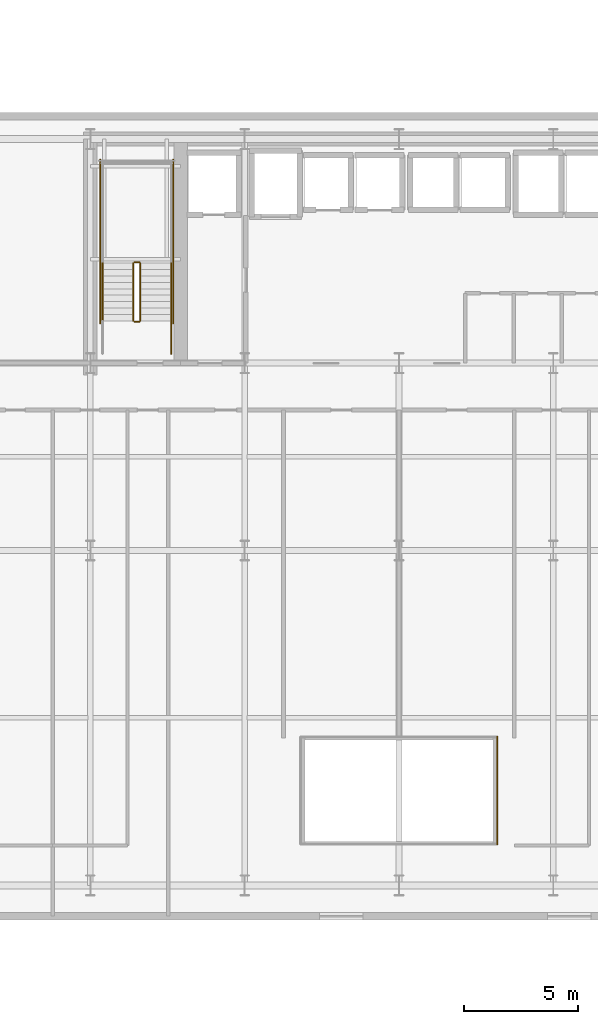
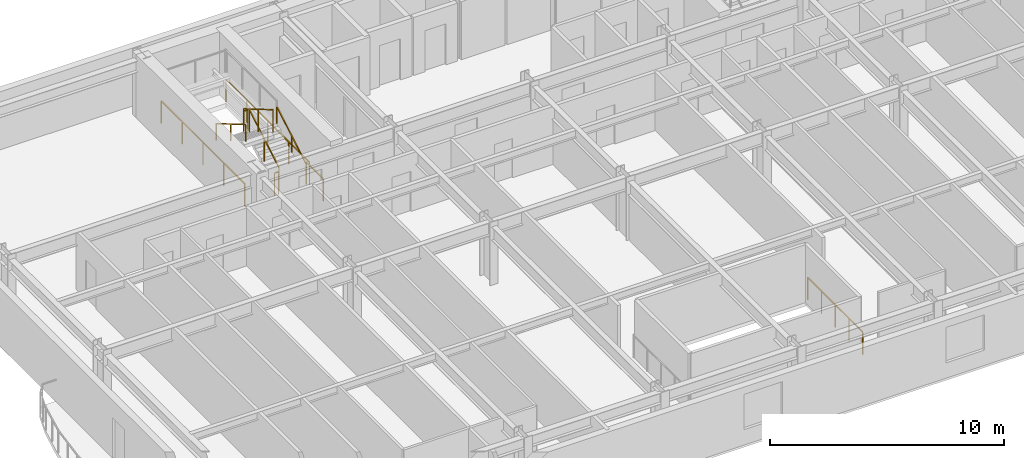
# One storey, part 12 of 17: 10 railings.
"""IFC4 building model written with IfcOpenShell, lengths in metres."""

from ifc_helpers import new_model, si_unit, direction, frame, origin, origin_2d, place, context, subcontext, project, spatial, rectangle, extrude, material, type_object, element, save


model = new_model("IFC4")

# Units and contexts
model_context = context("Model", 3, precision=1e-05, world=origin(), true_north=direction((0.0, 1.0)))
body_context = subcontext(model_context, "Body", "Model", "MODEL_VIEW")
ifc_project = project(units=[si_unit("LENGTHUNIT", "METRE"), si_unit("AREAUNIT", "SQUARE_METRE"), si_unit("VOLUMEUNIT", "CUBIC_METRE"), si_unit("PLANEANGLEUNIT", "RADIAN"), si_unit("MASSUNIT", "GRAM", prefix="KILO")], contexts=[model_context])

# Site, building, storey
site_placement = place(None, origin())
site = spatial("IfcSite", under=ifc_project, at=site_placement, CompositionType="ELEMENT")
building_placement = place(site_placement, origin())
building = spatial("IfcBuilding", under=site, at=building_placement, Name="Haevon Station Towers", CompositionType="ELEMENT")
storey_placement = place(building_placement, frame((0.0, 0.0, 33.89990234375)))
storey = spatial("IfcBuildingStorey", under=building, at=storey_placement, Name="L07", CompositionType="ELEMENT", Elevation=33.89990234375)

# Railings
ifc_material = material(Name="Steel S355", Category="steel")
railing_type_1 = type_object("IfcRailingType", Name="BAL-ATR1200", PredefinedType="BALUSTRADE", material=ifc_material)
railing_1_placement = place(storey_placement, frame((41.80517578125, 17.142333984375, 0.0)))
element("IfcRailing", 1, at=railing_1_placement, inside=storey, type_object=railing_type_1, Name="L07 Atrium Void Balustrade 2", PredefinedType="BALUSTRADE", context=body_context, shape_type="SweptSolid", body=[
    extrude(rectangle(XDim=0.048095703125, YDim=0.048095703125, at=origin_2d()), frame((0.0, 0.0, 1.17578125), z_axis=(0.0, 1.0, 0.0), x_axis=(-1.0, 0.0, 0.0)), (0.0, 0.0, 1.0), 4.71533203125),
    extrude(rectangle(XDim=0.0419921875, YDim=0.0419921875, at=origin_2d()), origin(), (0.0, 0.0, 1.0), 1.15185546875),
    extrude(rectangle(XDim=0.0419921875, YDim=0.0419921875, at=origin_2d()), frame((0.0, 1.1787109375, 0.0)), (0.0, 0.0, 1.0), 1.15185546875),
    extrude(rectangle(XDim=0.0419921875, YDim=0.0419921875, at=origin_2d()), frame((0.0, 2.357666015625, 0.0)), (0.0, 0.0, 1.0), 1.15185546875),
    extrude(rectangle(XDim=0.0419921875, YDim=0.0419921875, at=origin_2d()), frame((0.0, 3.53662109375, 0.0)), (0.0, 0.0, 1.0), 1.15185546875),
    extrude(rectangle(XDim=0.0419921875, YDim=0.0419921875, at=origin_2d()), frame((0.0, 4.71533203125, 0.0)), (0.0, 0.0, 1.0), 1.15185546875),
])
railing_type_2 = type_object("IfcRailingType", Name="GRD-STR1200", PredefinedType="GUARDRAIL", material=ifc_material)
railing_2_placement = place(storey_placement, frame((26.179931640625, 40.050048828125, 0.1650390625)))
element("IfcRailing", 2, at=railing_2_placement, inside=storey, type_object=railing_type_2, Name="L07 ST1 Stair Guard 1", PredefinedType="GUARDRAIL", context=body_context, shape_type="SweptSolid", body=[
    extrude(rectangle(XDim=0.048095703125, YDim=0.048095703125, at=origin_2d()), frame((0.0, 0.0, 1.17578125), z_axis=(0.0, 0.86152411907, 0.507716645641), x_axis=(-1.0, 0.0, 0.0)), (0.0, 0.0, 1.0), 2.925048828125),
    extrude(rectangle(XDim=0.0419921875, YDim=0.0419921875, at=origin_2d()), origin(), (0.0, 0.0, 1.0), 1.15185546875),
    extrude(rectangle(XDim=0.0419921875, YDim=0.0419921875, at=origin_2d()), frame((0.0, 1.260009765625, 0.74267578125)), (0.0, 0.0, 1.0), 1.15185546875),
    extrude(rectangle(XDim=0.0419921875, YDim=0.0419921875, at=origin_2d()), frame((0.0, 2.52001953125, 1.485107421875)), (0.0, 0.0, 1.0), 1.15185546875),
])
railing_3_placement = place(storey_placement, frame((26.1298828125, 42.6201171875, 1.650146484375)))
element("IfcRailing", 3, at=railing_3_placement, inside=storey, type_object=railing_type_2, Name="L07 ST1 Stair Guard 2", PredefinedType="GUARDRAIL", context=body_context, shape_type="SweptSolid", body=[
    extrude(rectangle(XDim=0.048095703125, YDim=0.048095703125, at=origin_2d()), frame((0.0, 0.0, 1.17578125), z_axis=(-1.0, 0.0, 0.0), x_axis=(0.0, -1.0, 0.0)), (0.0, 0.0, 1.0), 0.199951171875),
    extrude(rectangle(XDim=0.0419921875, YDim=0.0419921875, at=origin_2d()), origin(), (0.0, 0.0, 1.0), 1.15185546875),
    extrude(rectangle(XDim=0.0419921875, YDim=0.0419921875, at=origin_2d()), frame((-0.199951171875, 0.0, 0.0)), (0.0, 0.0, 1.0), 1.15185546875),
])
railing_4_placement = place(storey_placement, frame((25.8798828125, 42.570068359375, 1.815185546875)))
element("IfcRailing", 4, at=railing_4_placement, inside=storey, type_object=railing_type_2, Name="L07 ST1 Stair Guard 6", PredefinedType="GUARDRAIL", context=body_context, shape_type="SweptSolid", body=[
    extrude(rectangle(XDim=0.048095703125, YDim=0.048095703125, at=origin_2d()), frame((0.0, 0.0, 1.17578125), z_axis=(0.0, -0.861560626758, 0.507654692109), x_axis=(1.0, 0.0, 0.0)), (0.0, 0.0, 1.0), 2.925048828125),
    extrude(rectangle(XDim=0.0419921875, YDim=0.0419921875, at=origin_2d()), origin(), (0.0, 0.0, 1.0), 1.15185546875),
    extrude(rectangle(XDim=0.0419921875, YDim=0.0419921875, at=origin_2d()), frame((0.0, -1.260009765625, 0.742431640625)), (0.0, 0.0, 1.0), 1.15185546875),
    extrude(rectangle(XDim=0.0419921875, YDim=0.0419921875, at=origin_2d()), frame((0.0, -2.52001953125, 1.48486328125)), (0.0, 0.0, 1.0), 1.15185546875),
])
railing_5_placement = place(storey_placement, frame((26.1298828125, 40.0, 0.0)))
element("IfcRailing", 5, at=railing_5_placement, inside=storey, type_object=railing_type_2, Name="L07 ST1 Stair Guard 7", PredefinedType="GUARDRAIL", context=body_context, shape_type="SweptSolid", body=[
    extrude(rectangle(XDim=0.048095703125, YDim=0.048095703125, at=origin_2d()), frame((0.0, 0.0, 1.17578125), z_axis=(-1.0, 0.0, 0.0), x_axis=(0.0, -1.0, 0.0)), (0.0, 0.0, 1.0), 0.199951171875),
    extrude(rectangle(XDim=0.0419921875, YDim=0.0419921875, at=origin_2d()), origin(), (0.0, 0.0, 1.0), 1.15185546875),
    extrude(rectangle(XDim=0.0419921875, YDim=0.0419921875, at=origin_2d()), frame((-0.199951171875, 0.0, 0.0)), (0.0, 0.0, 1.0), 1.15185546875),
])
railing_6_placement = place(storey_placement, frame((27.530029296875, 38.60009765625, 0.0)))
element("IfcRailing", 6, at=railing_6_placement, inside=storey, type_object=railing_type_2, Name="L07 ST1 Stair Guard 8", PredefinedType="GUARDRAIL", context=body_context, shape_type="SweptSolid", body=[
    extrude(rectangle(XDim=0.048095703125, YDim=0.048095703125, at=origin_2d()), frame((0.0, 0.0, 1.17578125), z_axis=(0.0, 1.0, 0.0), x_axis=(-1.0, 0.0, 0.0)), (0.0, 0.0, 1.0), 1.449951171875),
    extrude(rectangle(XDim=0.0419921875, YDim=0.0419921875, at=origin_2d()), origin(), (0.0, 0.0, 1.0), 1.15185546875),
    extrude(rectangle(XDim=0.0419921875, YDim=0.0419921875, at=origin_2d()), frame((0.0, 1.449951171875, 0.0)), (0.0, 0.0, 1.0), 1.15185546875),
])
for number, where, name in (
    (7, (27.6298828125, 39.949951171875, 0.0), "L07 ST1 Stair Guard 10"),
    (8, (24.429931640625, 39.949951171875, 0.0), "L07 ST1 Stair Guard 11"),
):
    element("IfcRailing", number, at=place(storey_placement, frame(where)), inside=storey, type_object=railing_type_2, Name=name, PredefinedType="GUARDRAIL", context=body_context, shape_type="SweptSolid", body=[
        extrude(rectangle(XDim=0.048095703125, YDim=0.048095703125, at=origin_2d()), frame((0.0, 0.0, 1.17578125), z_axis=(0.0, 1.0, 0.0), x_axis=(-1.0, 0.0, 0.0)), (0.0, 0.0, 1.0), 7.150146484375),
        extrude(rectangle(XDim=0.0419921875, YDim=0.0419921875, at=origin_2d()), origin(), (0.0, 0.0, 1.0), 1.15185546875),
        extrude(rectangle(XDim=0.0419921875, YDim=0.0419921875, at=origin_2d()), frame((0.0, 1.78759765625, 0.0)), (0.0, 0.0, 1.0), 1.15185546875),
        extrude(rectangle(XDim=0.0419921875, YDim=0.0419921875, at=origin_2d()), frame((0.0, 3.5751953125, 0.0)), (0.0, 0.0, 1.0), 1.15185546875),
        extrude(rectangle(XDim=0.0419921875, YDim=0.0419921875, at=origin_2d()), frame((0.0, 5.362548828125, 0.0)), (0.0, 0.0, 1.0), 1.15185546875),
        extrude(rectangle(XDim=0.0419921875, YDim=0.0419921875, at=origin_2d()), frame((0.0, 7.150146484375, 0.0)), (0.0, 0.0, 1.0), 1.15185546875),
    ])
railing_type_3 = type_object("IfcRailingType", Name="HND-STR900", PredefinedType="HANDRAIL", material=ifc_material)
railing_7_placement = place(storey_placement, frame((27.530029296875, 40.050048828125, 0.1650390625)))
element("IfcRailing", 9, at=railing_7_placement, inside=storey, type_object=railing_type_3, Name="L07 ST1 Stair Handrail 1", PredefinedType="HANDRAIL", context=body_context, shape_type="SweptSolid", body=[
    extrude(rectangle(XDim=0.048095703125, YDim=0.048095703125, at=origin_2d()), frame((0.0, 0.0, 0.8759765625), z_axis=(0.0, 0.86152411907, 0.507716645641), x_axis=(-1.0, 0.0, 0.0)), (0.0, 0.0, 1.0), 2.925048828125),
    extrude(rectangle(XDim=0.0419921875, YDim=0.0419921875, at=origin_2d()), origin(), (0.0, 0.0, 1.0), 0.851806640625),
    extrude(rectangle(XDim=0.0419921875, YDim=0.0419921875, at=origin_2d()), frame((0.0, 1.260009765625, 0.74267578125)), (0.0, 0.0, 1.0), 0.851806640625),
    extrude(rectangle(XDim=0.0419921875, YDim=0.0419921875, at=origin_2d()), frame((0.0, 2.52001953125, 1.485107421875)), (0.0, 0.0, 1.0), 0.851806640625),
])
railing_8_placement = place(storey_placement, frame((24.530029296875, 42.570068359375, 1.815185546875)))
element("IfcRailing", 10, at=railing_8_placement, inside=storey, type_object=railing_type_3, Name="L07 ST1 Stair Handrail 2", PredefinedType="HANDRAIL", context=body_context, shape_type="SweptSolid", body=[
    extrude(rectangle(XDim=0.048095703125, YDim=0.048095703125, at=origin_2d()), frame((0.0, 0.0, 0.8759765625), z_axis=(0.0, -0.861560626758, 0.507654692109), x_axis=(1.0, 0.0, 0.0)), (0.0, 0.0, 1.0), 2.925048828125),
    extrude(rectangle(XDim=0.0419921875, YDim=0.0419921875, at=origin_2d()), origin(), (0.0, 0.0, 1.0), 0.851806640625),
    extrude(rectangle(XDim=0.0419921875, YDim=0.0419921875, at=origin_2d()), frame((0.0, -1.260009765625, 0.742431640625)), (0.0, 0.0, 1.0), 0.851806640625),
    extrude(rectangle(XDim=0.0419921875, YDim=0.0419921875, at=origin_2d()), frame((0.0, -2.52001953125, 1.48486328125)), (0.0, 0.0, 1.0), 0.851806640625),
])

save(model, "model.ifc")
